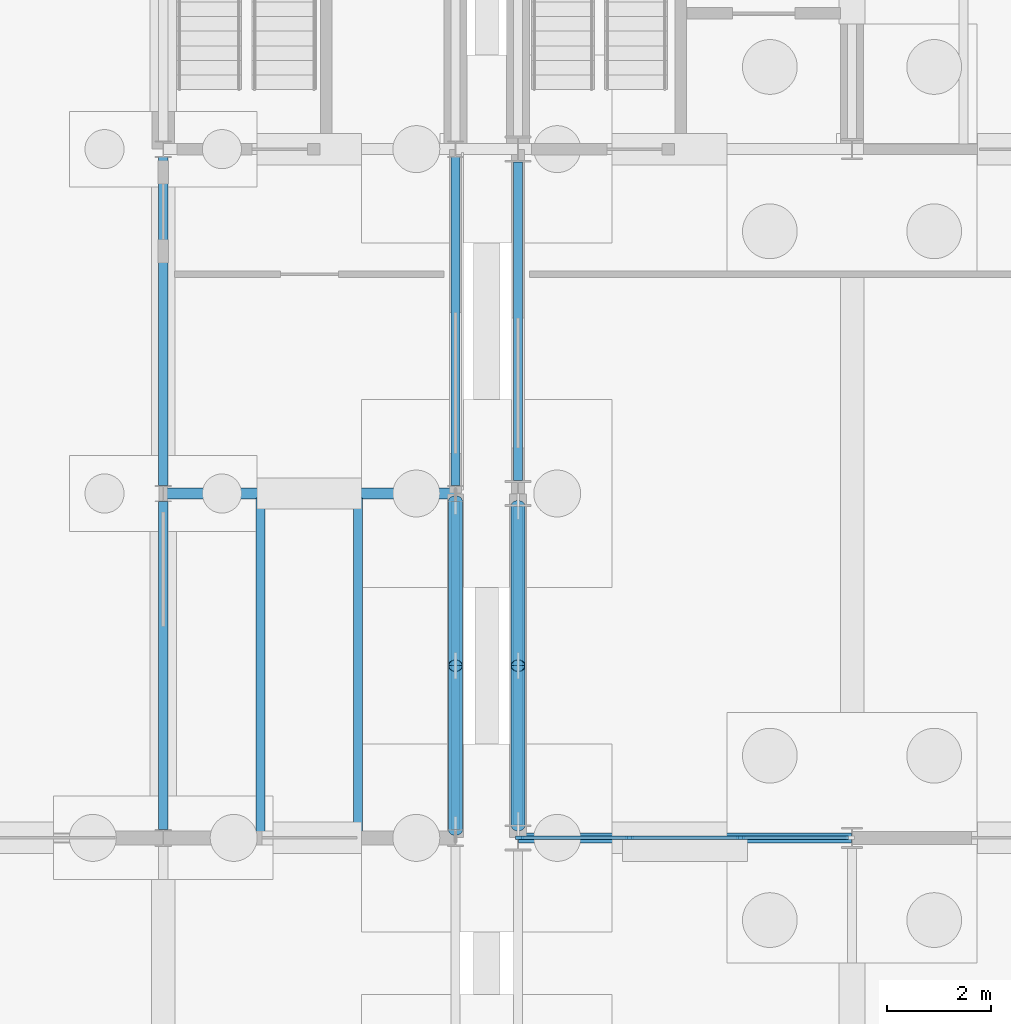
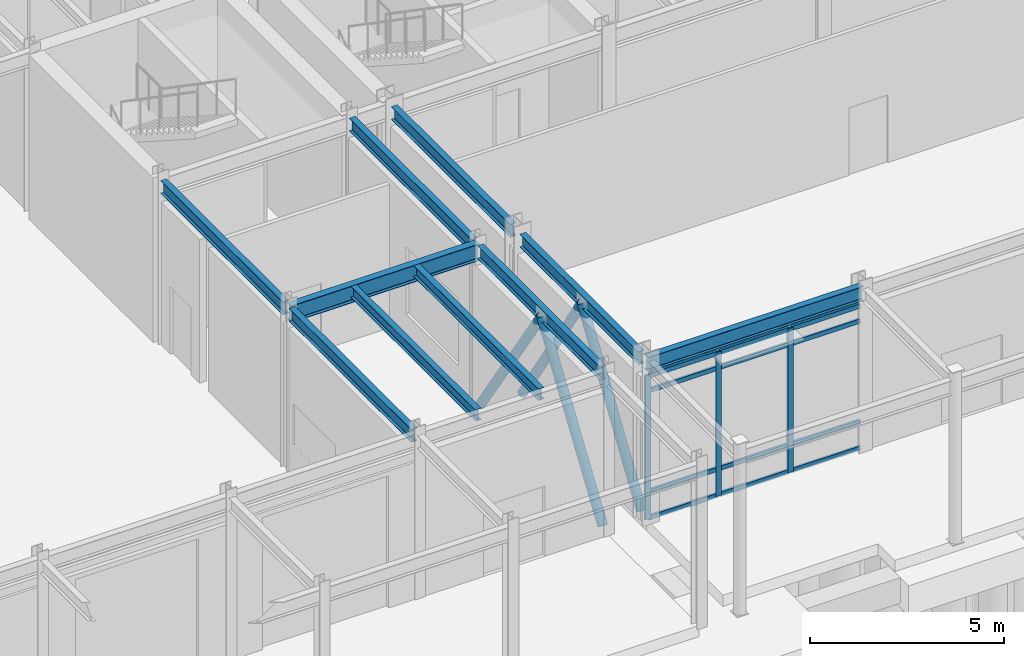
# One storey, part 31 of 82: 19 members, 10 beams, 1 element without a shape of its own.
"""IFC4 building model written with IfcOpenShell, lengths in metres."""

from ifc_helpers import new_model, si_unit, direction, frame, origin, origin_2d, place, context, subcontext, project, spatial, rectangle, hollow_circle, i_section, extrude, material, layer, layer_set, material_profile, profile_set, type_object, element, aggregate, save


model = new_model("IFC4")

# Units and contexts
model_context = context("Model", 3, precision=1e-05, world=origin(), true_north=direction((0.0, 1.0)))
body_context = subcontext(model_context, "Body", "Model", "MODEL_VIEW")
ifc_project = project(units=[si_unit("LENGTHUNIT", "METRE"), si_unit("AREAUNIT", "SQUARE_METRE"), si_unit("VOLUMEUNIT", "CUBIC_METRE"), si_unit("PLANEANGLEUNIT", "RADIAN"), si_unit("MASSUNIT", "GRAM", prefix="KILO")], contexts=[model_context])

# Site, building, storey
site_placement = place(None, origin())
site = spatial("IfcSite", under=ifc_project, at=site_placement, CompositionType="ELEMENT")
building_placement = place(site_placement, origin())
building = spatial("IfcBuilding", under=site, at=building_placement, Name="Trelmorton Wharf Fire Station", CompositionType="ELEMENT")
storey_placement = place(building_placement, origin())
storey = spatial("IfcBuildingStorey", under=building, at=storey_placement, Name="L00", CompositionType="ELEMENT", Elevation=0.0)

# Beams
ifc_material_1 = material(Name="Steel Grade 350", Category="steel")
ifc_material_profile_1 = material_profile(ifc_material_1, i_section(OverallWidth=0.177978515625, OverallDepth=0.406005859375, WebThickness=0.0078125, FlangeThickness=0.0126953125, FilletRadius=0.011474609375, at=origin_2d()), Name="410UB59.7")
ifc_profile_set_1 = profile_set([ifc_material_profile_1], Name="Steel Grade 350")
beam_type_1 = type_object("IfcBeamType", Name="BM_410UB60", PredefinedType="BEAM", material=ifc_profile_set_1)
beam_1_placement = place(storey_placement, frame((51.199951171875, 7.95947265625, 4.927001953125), z_axis=(0.0, 1.0, 0.0), x_axis=(-1.0, 0.0, 0.0)))
element("IfcBeam", 1, at=beam_1_placement, inside=storey, type_object=beam_type_1, Name="BM-L00-0271", PredefinedType="BEAM", context=body_context, shape_type="SweptSolid", body=[
    extrude(i_section(OverallWidth=0.177978515625, OverallDepth=0.406005859375, WebThickness=0.0078125, FlangeThickness=0.0126953125, FilletRadius=0.011474609375, at=origin_2d()), origin(), (0.0, 0.0, 1.0), 6.287109375),
])
beam_2_placement = place(storey_placement, frame((51.199951171875, 14.553466796875, 4.927001953125), z_axis=(0.0, 1.0, 0.0), x_axis=(-1.0, 0.0, 0.0)))
element("IfcBeam", 2, at=beam_2_placement, inside=storey, type_object=beam_type_1, Name="BM-L00-0272", PredefinedType="BEAM", context=body_context, shape_type="SweptSolid", body=[
    extrude(i_section(OverallWidth=0.177978515625, OverallDepth=0.406005859375, WebThickness=0.0078125, FlangeThickness=0.0126953125, FilletRadius=0.011474609375, at=origin_2d()), origin(), (0.0, 0.0, 1.0), 6.29296875),
])
beam_3_placement = place(storey_placement, frame((56.800048828125, 7.95947265625, 4.927001953125), z_axis=(0.0, 1.0, 0.0), x_axis=(-1.0, 0.0, 0.0)))
element("IfcBeam", 3, at=beam_3_placement, inside=storey, type_object=beam_type_1, Name="BM-L00-0276", PredefinedType="BEAM", context=body_context, shape_type="SweptSolid", body=[
    extrude(i_section(OverallWidth=0.177978515625, OverallDepth=0.406005859375, WebThickness=0.0078125, FlangeThickness=0.0126953125, FilletRadius=0.011474609375, at=origin_2d()), origin(), (0.0, 0.0, 1.0), 6.287109375),
])
beam_4_placement = place(storey_placement, frame((56.800048828125, 14.553466796875, 4.927001953125), z_axis=(0.0, 1.0, 0.0), x_axis=(-1.0, 0.0, 0.0)))
element("IfcBeam", 4, at=beam_4_placement, inside=storey, type_object=beam_type_1, Name="BM-L00-0277", PredefinedType="BEAM", context=body_context, shape_type="SweptSolid", body=[
    extrude(i_section(OverallWidth=0.177978515625, OverallDepth=0.406005859375, WebThickness=0.0078125, FlangeThickness=0.0126953125, FilletRadius=0.011474609375, at=origin_2d()), origin(), (0.0, 0.0, 1.0), 6.29296875),
])
beam_5_placement = place(storey_placement, frame((58.0, 8.0458984375, 4.927001953125), z_axis=(0.0, 1.0, 0.0), x_axis=(-1.0, 0.0, 0.0)))
element("IfcBeam", 5, at=beam_5_placement, inside=storey, type_object=beam_type_1, Name="BM-L00-0281", PredefinedType="BEAM", context=body_context, shape_type="SweptSolid", body=[
    extrude(i_section(OverallWidth=0.177978515625, OverallDepth=0.406005859375, WebThickness=0.0078125, FlangeThickness=0.0126953125, FilletRadius=0.011474609375, at=origin_2d()), origin(), (0.0, 0.0, 1.0), 6.108154296875),
])
beam_6_placement = place(storey_placement, frame((58.0, 14.64599609375, 4.927001953125), z_axis=(0.0, 1.0, 0.0), x_axis=(-1.0, 0.0, 0.0)))
element("IfcBeam", 6, at=beam_6_placement, inside=storey, type_object=beam_type_1, Name="BM-L00-0282", PredefinedType="BEAM", context=body_context, shape_type="SweptSolid", body=[
    extrude(i_section(OverallWidth=0.177978515625, OverallDepth=0.406005859375, WebThickness=0.0078125, FlangeThickness=0.0126953125, FilletRadius=0.011474609375, at=origin_2d()), origin(), (0.0, 0.0, 1.0), 6.10791015625),
])
ifc_material_profile_2 = material_profile(ifc_material_1, i_section(OverallWidth=0.208984375, OverallDepth=0.532958984375, WebThickness=0.01025390625, FlangeThickness=0.015625, FilletRadius=0.013916015625, at=origin_2d()), Name="530UB92.4")
ifc_profile_set_2 = profile_set([ifc_material_profile_2], Name="Steel Grade 350")
beam_type_2 = type_object("IfcBeamType", Name="BM_530UB92", PredefinedType="BEAM", material=ifc_profile_set_2)
beam_7_placement = place(storey_placement, frame((51.2041015625, 14.39990234375, 4.863525390625), z_axis=(1.0, 0.0, 0.0), x_axis=(0.0, 1.0, 0.0)))
element("IfcBeam", 7, at=beam_7_placement, inside=storey, type_object=beam_type_2, Name="BM-L00-0048", PredefinedType="BEAM", context=body_context, shape_type="SweptSolid", body=[
    extrude(i_section(OverallWidth=0.208984375, OverallDepth=0.532958984375, WebThickness=0.01025390625, FlangeThickness=0.015625, FilletRadius=0.013916015625, at=origin_2d()), origin(), (0.0, 0.0, 1.0), 5.591796875),
])

# Members
ifc_material_2 = material(Name="Steel C350L0 (350 MPa)", Category="steel")
ifc_material_profile_3 = material_profile(ifc_material_2, hollow_circle(Radius=0.136474609375, WallThickness=0.00927734375, at=origin_2d()), Name="273.1x9.3CHS")
ifc_profile_set_3 = profile_set([ifc_material_profile_3], Name="Steel C350L0 (350 MPa)")
member_type_1 = type_object("IfcMemberType", Name="BR_273CHS", PredefinedType="BRACE", material=ifc_profile_set_3)
member_1_placement = place(storey_placement, frame((56.800048828125, 7.96044921875, 0.1201171875), z_axis=(0.0, 0.558764469365, 0.829326393994), x_axis=(-1.0, 0.0, 0.0)))
element("IfcMember", 8, at=member_1_placement, inside=storey, type_object=member_type_1, Name="CBF-V1-E-L00-A", PredefinedType="BRACE", context=body_context, shape_type="SweptSolid", body=[
    extrude(hollow_circle(Radius=0.136474609375, WallThickness=0.00927734375, at=origin_2d()), origin(), (0.0, 0.0, 1.0), 5.618896484375),
])
member_2_placement = place(storey_placement, frame((56.800048828125, 14.24560546875, 0.1201171875), z_axis=(0.0, -0.559481058826, 0.828843136434), x_axis=(1.0, 0.0, 0.0)))
element("IfcMember", 9, at=member_2_placement, inside=storey, type_object=member_type_1, Name="CBF-V1-E-L00-B", PredefinedType="BRACE", context=body_context, shape_type="SweptSolid", body=[
    extrude(hollow_circle(Radius=0.136474609375, WallThickness=0.00927734375, at=origin_2d()), origin(), (0.0, 0.0, 1.0), 5.6220703125),
])
for number, where, z_axis, x_axis, name in (
    (10, (58.0, 8.047119140625, 0.1201171875), (0.0, 0.548017798761, 0.836466671327), (-1.0, 0.0, 0.0), "CBF-V3-W-L00-A"),
    (11, (58.0, 14.153076171875, 0.1201171875), (0.0, -0.548017798761, 0.836466671327), (1.0, 0.0, 0.0), "CBF-V3-W-L00-B"),
):
    element("IfcMember", number, at=place(storey_placement, frame(where, z_axis=z_axis, x_axis=x_axis)), inside=storey, type_object=member_type_1, Name=name, PredefinedType="BRACE", context=body_context, shape_type="SweptSolid", body=[
        extrude(hollow_circle(Radius=0.136474609375, WallThickness=0.00927734375, at=origin_2d()), origin(), (0.0, 0.0, 1.0), 5.571044921875),
    ])

# Curtain wall, members
ifc_material_3 = material(Name="Anodised aluminium AW-6063", Category="aluminium")
ifc_layer = layer(ifc_material_3, 0.159912109375)
ifc_layer_set = layer_set([ifc_layer], Name="Anodised aluminium AW-6063")
curtain_wall_type = type_object("IfcCurtainWallType", Name="CW_CHIC_A", PredefinedType="USERDEFINED", material=ifc_layer_set)
curtain_wall_placement = place(storey_placement, origin())
curtain_wall = element("IfcCurtainWall", 12, at=curtain_wall_placement, inside=storey, type_object=curtain_wall_type, Name="CW-V3-L00-019", ObjectType="CHICAGO BAY CURTAIN WALL", PredefinedType="USERDEFINED")
ifc_material_profile_4 = material_profile(ifc_material_3, rectangle(XDim=0.06494140625, YDim=0.159912109375, at=origin_2d()), Name="ALU-65x160")
ifc_profile_set_4 = profile_set([ifc_material_profile_4], Name="Anodised aluminium AW-6063")
member_type_2 = type_object("IfcMemberType", Name="CWM_65x160", PredefinedType="MULLION", material=ifc_profile_set_4)
member_3_placement = place(storey_placement, frame((62.264892578125, 7.800048828125, 0.0), z_axis=(0.0, 0.0, 1.0), x_axis=(0.0, -1.0, 0.0)))
member_3 = element("IfcMember", 13, at=member_3_placement, type_object=member_type_2, Name="CW1 mullion 2", PredefinedType="MULLION", context=body_context, shape_type="SweptSolid", body=[
    extrude(rectangle(XDim=0.06494140625, YDim=0.159912109375, at=origin_2d()), origin(), (0.0, 0.0, 1.0), 4.52001953125),
])
member_4_placement = place(storey_placement, frame((60.135009765625, 7.800048828125, 0.0), z_axis=(0.0, 0.0, 1.0), x_axis=(0.0, -1.0, 0.0)))
member_4 = element("IfcMember", 14, at=member_4_placement, type_object=member_type_2, Name="CW1 mullion 3", PredefinedType="MULLION", context=body_context, shape_type="SweptSolid", body=[
    extrude(rectangle(XDim=0.06494140625, YDim=0.159912109375, at=origin_2d()), origin(), (0.0, 0.0, 1.0), 4.52001953125),
])
member_5_placement = place(storey_placement, frame((58.034912109375, 7.800048828125, 0.0), z_axis=(0.0, 0.0, 1.0), x_axis=(0.0, -1.0, 0.0)))
member_5 = element("IfcMember", 15, at=member_5_placement, type_object=member_type_2, Name="CW1 mullion 4", PredefinedType="MULLION", context=body_context, shape_type="SweptSolid", body=[
    extrude(rectangle(XDim=0.06494140625, YDim=0.159912109375, at=origin_2d()), origin(), (0.0, 0.0, 1.0), 4.52001953125),
])
ifc_material_profile_5 = material_profile(ifc_material_3, rectangle(XDim=0.06494140625, YDim=0.139892578125, at=origin_2d()), Name="ALU-65x140")
ifc_profile_set_5 = profile_set([ifc_material_profile_5], Name="Anodised aluminium AW-6063")
member_type_3 = type_object("IfcMemberType", Name="CWT_65x140", PredefinedType="USERDEFINED", material=ifc_profile_set_5)
member_6_placement = place(storey_placement, frame((64.3349609375, 7.800048828125, 0.030029296875), z_axis=(-1.0, 0.0, 0.0), x_axis=(0.0, -1.0, 0.0)))
member_6 = element("IfcMember", 16, at=member_6_placement, type_object=member_type_3, Name="CW1 transom 1.1", ObjectType="TRANSOM", PredefinedType="USERDEFINED", context=body_context, shape_type="SweptSolid", body=[
    extrude(rectangle(XDim=0.06494140625, YDim=0.139892578125, at=origin_2d()), origin(), (0.0, 0.0, 1.0), 2.0400390625),
])
member_7_placement = place(storey_placement, frame((64.3349609375, 7.800048828125, 0.85009765625), z_axis=(-1.0, 0.0, 0.0), x_axis=(0.0, -1.0, 0.0)))
member_7 = element("IfcMember", 17, at=member_7_placement, type_object=member_type_3, Name="CW1 transom 1.2", ObjectType="TRANSOM", PredefinedType="USERDEFINED", context=body_context, shape_type="SweptSolid", body=[
    extrude(rectangle(XDim=0.06494140625, YDim=0.139892578125, at=origin_2d()), origin(), (0.0, 0.0, 1.0), 2.0400390625),
])
member_8_placement = place(storey_placement, frame((64.3349609375, 7.800048828125, 4.02001953125), z_axis=(-1.0, 0.0, 0.0), x_axis=(0.0, -1.0, 0.0)))
member_8 = element("IfcMember", 18, at=member_8_placement, type_object=member_type_3, Name="CW1 transom 1.3", ObjectType="TRANSOM", PredefinedType="USERDEFINED", context=body_context, shape_type="SweptSolid", body=[
    extrude(rectangle(XDim=0.06494140625, YDim=0.139892578125, at=origin_2d()), origin(), (0.0, 0.0, 1.0), 2.0400390625),
])
member_9_placement = place(storey_placement, frame((64.3349609375, 7.800048828125, 4.489990234375), z_axis=(-1.0, 0.0, 0.0), x_axis=(0.0, -1.0, 0.0)))
member_9 = element("IfcMember", 19, at=member_9_placement, type_object=member_type_3, Name="CW1 transom 1.4", ObjectType="TRANSOM", PredefinedType="USERDEFINED", context=body_context, shape_type="SweptSolid", body=[
    extrude(rectangle(XDim=0.06494140625, YDim=0.139892578125, at=origin_2d()), origin(), (0.0, 0.0, 1.0), 2.0400390625),
])
member_10_placement = place(storey_placement, frame((62.235107421875, 7.800048828125, 0.030029296875), z_axis=(-1.0, 0.0, 0.0), x_axis=(0.0, -1.0, 0.0)))
member_10 = element("IfcMember", 20, at=member_10_placement, type_object=member_type_3, Name="CW1 transom 2.1", ObjectType="TRANSOM", PredefinedType="USERDEFINED", context=body_context, shape_type="SweptSolid", body=[
    extrude(rectangle(XDim=0.06494140625, YDim=0.139892578125, at=origin_2d()), origin(), (0.0, 0.0, 1.0), 2.070068359375),
])
member_11_placement = place(storey_placement, frame((62.235107421875, 7.800048828125, 0.85009765625), z_axis=(-1.0, 0.0, 0.0), x_axis=(0.0, -1.0, 0.0)))
member_11 = element("IfcMember", 21, at=member_11_placement, type_object=member_type_3, Name="CW1 transom 2.2", ObjectType="TRANSOM", PredefinedType="USERDEFINED", context=body_context, shape_type="SweptSolid", body=[
    extrude(rectangle(XDim=0.06494140625, YDim=0.139892578125, at=origin_2d()), origin(), (0.0, 0.0, 1.0), 2.070068359375),
])
member_12_placement = place(storey_placement, frame((62.235107421875, 7.800048828125, 4.02001953125), z_axis=(-1.0, 0.0, 0.0), x_axis=(0.0, -1.0, 0.0)))
member_12 = element("IfcMember", 22, at=member_12_placement, type_object=member_type_3, Name="CW1 transom 2.3", ObjectType="TRANSOM", PredefinedType="USERDEFINED", context=body_context, shape_type="SweptSolid", body=[
    extrude(rectangle(XDim=0.06494140625, YDim=0.139892578125, at=origin_2d()), origin(), (0.0, 0.0, 1.0), 2.070068359375),
])
member_13_placement = place(storey_placement, frame((62.235107421875, 7.800048828125, 4.489990234375), z_axis=(-1.0, 0.0, 0.0), x_axis=(0.0, -1.0, 0.0)))
member_13 = element("IfcMember", 23, at=member_13_placement, type_object=member_type_3, Name="CW1 transom 2.4", ObjectType="TRANSOM", PredefinedType="USERDEFINED", context=body_context, shape_type="SweptSolid", body=[
    extrude(rectangle(XDim=0.06494140625, YDim=0.139892578125, at=origin_2d()), origin(), (0.0, 0.0, 1.0), 2.070068359375),
])
member_14_placement = place(storey_placement, frame((60.10498046875, 7.800048828125, 0.030029296875), z_axis=(-1.0, 0.0, 0.0), x_axis=(0.0, -1.0, 0.0)))
member_14 = element("IfcMember", 24, at=member_14_placement, type_object=member_type_3, Name="CW1 transom 3.1", ObjectType="TRANSOM", PredefinedType="USERDEFINED", context=body_context, shape_type="SweptSolid", body=[
    extrude(rectangle(XDim=0.06494140625, YDim=0.139892578125, at=origin_2d()), origin(), (0.0, 0.0, 1.0), 2.0400390625),
])
member_15_placement = place(storey_placement, frame((60.10498046875, 7.800048828125, 0.85009765625), z_axis=(-1.0, 0.0, 0.0), x_axis=(0.0, -1.0, 0.0)))
member_15 = element("IfcMember", 25, at=member_15_placement, type_object=member_type_3, Name="CW1 transom 3.2", ObjectType="TRANSOM", PredefinedType="USERDEFINED", context=body_context, shape_type="SweptSolid", body=[
    extrude(rectangle(XDim=0.06494140625, YDim=0.139892578125, at=origin_2d()), origin(), (0.0, 0.0, 1.0), 2.0400390625),
])
member_16_placement = place(storey_placement, frame((60.10498046875, 7.800048828125, 4.02001953125), z_axis=(-1.0, 0.0, 0.0), x_axis=(0.0, -1.0, 0.0)))
member_16 = element("IfcMember", 26, at=member_16_placement, type_object=member_type_3, Name="CW1 transom 3.3", ObjectType="TRANSOM", PredefinedType="USERDEFINED", context=body_context, shape_type="SweptSolid", body=[
    extrude(rectangle(XDim=0.06494140625, YDim=0.139892578125, at=origin_2d()), origin(), (0.0, 0.0, 1.0), 2.0400390625),
])
member_17_placement = place(storey_placement, frame((60.10498046875, 7.800048828125, 4.489990234375), z_axis=(-1.0, 0.0, 0.0), x_axis=(0.0, -1.0, 0.0)))
member_17 = element("IfcMember", 27, at=member_17_placement, type_object=member_type_3, Name="CW1 transom 3.4", ObjectType="TRANSOM", PredefinedType="USERDEFINED", context=body_context, shape_type="SweptSolid", body=[
    extrude(rectangle(XDim=0.06494140625, YDim=0.139892578125, at=origin_2d()), origin(), (0.0, 0.0, 1.0), 2.0400390625),
])
aggregate(curtain_wall, [member_3, member_4, member_5, member_6, member_7, member_8, member_9, member_10, member_11, member_12, member_13, member_14, member_15, member_16, member_17])

# Beams
ifc_material_profile_6 = material_profile(ifc_material_1, i_section(OverallWidth=0.172119140625, OverallDepth=0.35888671875, WebThickness=0.008056640625, FlangeThickness=0.012939453125, FilletRadius=0.011474609375, at=origin_2d()), Name="360UB56.7")
ifc_profile_set_6 = profile_set([ifc_material_profile_6], Name="Steel Grade 350")
beam_type_3 = type_object("IfcBeamType", Name="JS_360UB57", PredefinedType="JOIST", material=ifc_profile_set_6)
for number, where, z_axis, x_axis, name in (
    (28, (53.066650390625, 7.889892578125, 4.950439453125), (0.0, 1.0, 0.0), (-1.0, 0.0, 0.0), "JS-L00-0051"),
    (29, (54.933349609375, 7.889892578125, 4.950439453125), (0.0, 1.0, 0.0), (-1.0, 0.0, 0.0), "JS-L00-0052"),
):
    element("IfcBeam", number, at=place(storey_placement, frame(where, z_axis=z_axis, x_axis=x_axis)), inside=storey, type_object=beam_type_3, Name=name, PredefinedType="JOIST", context=body_context, shape_type="SweptSolid", body=[
        extrude(i_section(OverallWidth=0.172119140625, OverallDepth=0.35888671875, WebThickness=0.008056640625, FlangeThickness=0.012939453125, FilletRadius=0.011474609375, at=origin_2d()), origin(), (0.0, 0.0, 1.0), 6.420166015625),
    ])
ifc_material_profile_7 = material_profile(ifc_material_1, i_section(OverallWidth=0.18994140625, OverallDepth=0.45703125, WebThickness=0.009033203125, FlangeThickness=0.014404296875, FilletRadius=0.011474609375, at=origin_2d()), Name="460UB74.6")
ifc_profile_set_7 = profile_set([ifc_material_profile_7], Name="Steel Grade 350")
beam_type_4 = type_object("IfcBeamType", Name="SP_460UB75", PredefinedType="SPANDREL", material=ifc_profile_set_7)
beam_8_placement = place(storey_placement, frame((58.008056640625, 7.800048828125, 4.901611328125), z_axis=(1.0, 0.0, 0.0), x_axis=(0.0, 1.0, 0.0)))
element("IfcBeam", 30, at=beam_8_placement, inside=storey, type_object=beam_type_4, Name="BM-L00-0034", PredefinedType="SPANDREL", context=body_context, shape_type="SweptSolid", body=[
    extrude(i_section(OverallWidth=0.18994140625, OverallDepth=0.45703125, WebThickness=0.009033203125, FlangeThickness=0.014404296875, FilletRadius=0.011474609375, at=origin_2d()), origin(), (0.0, 0.0, 1.0), 6.384033203125),
])

save(model, "model.ifc")
